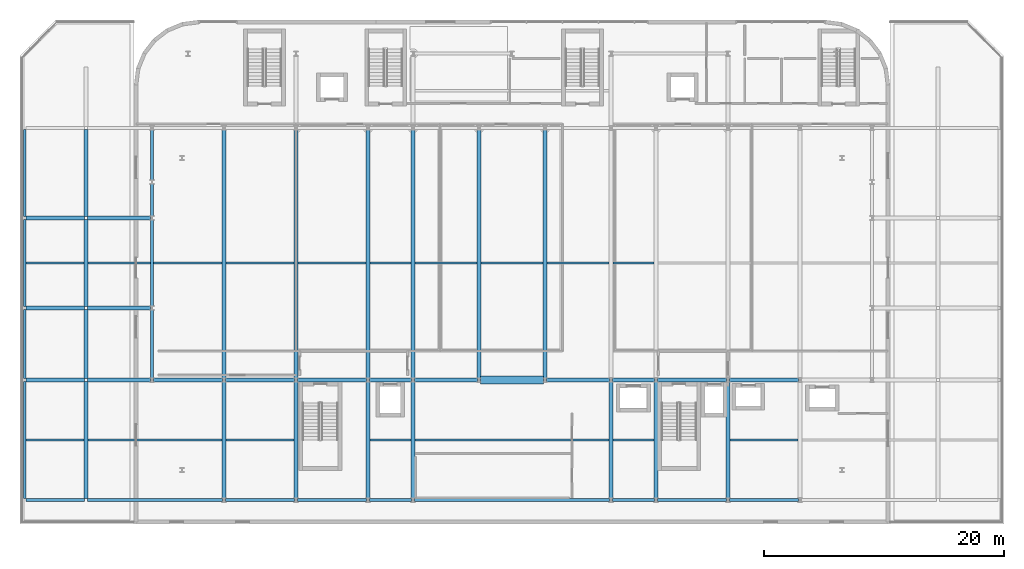
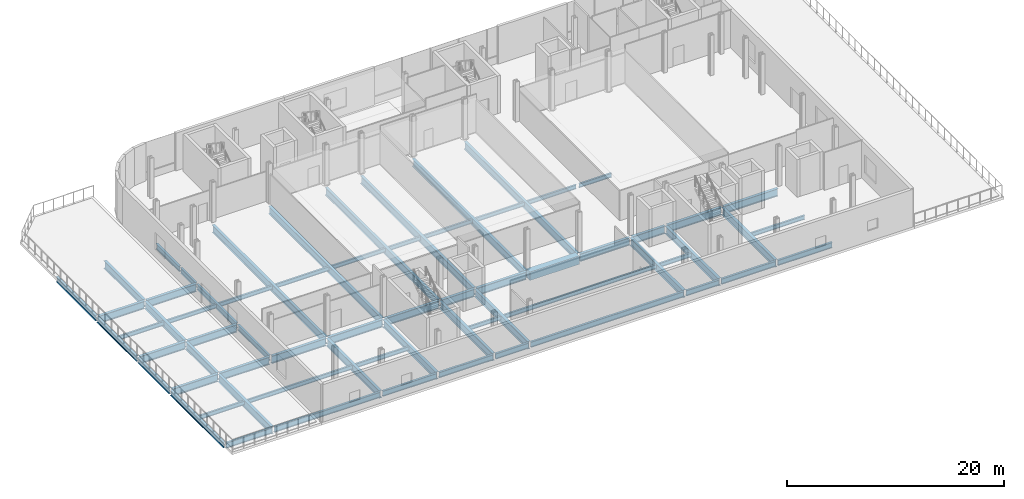
# One storey, part 2 of 26: 67 beams.
"""IFC4 building model written with IfcOpenShell, lengths in metres."""

from ifc_helpers import new_model, si_unit, direction, frame, origin, origin_2d, place, context, subcontext, project, spatial, rectangle, i_section, extrude, material, material_profile, profile_set, type_object, element, save


model = new_model("IFC4")

# Units and contexts
model_context = context("Model", 3, precision=1e-05, world=origin(), true_north=direction((0.0, 1.0)))
body_context = subcontext(model_context, "Body", "Model", "MODEL_VIEW")
ifc_project = project(units=[si_unit("LENGTHUNIT", "METRE"), si_unit("AREAUNIT", "SQUARE_METRE"), si_unit("VOLUMEUNIT", "CUBIC_METRE"), si_unit("PLANEANGLEUNIT", "RADIAN"), si_unit("MASSUNIT", "GRAM", prefix="KILO")], contexts=[model_context])

# Site, building, storey
site_placement = place(None, origin())
site = spatial("IfcSite", under=ifc_project, at=site_placement, CompositionType="ELEMENT")
building_placement = place(site_placement, origin())
building = spatial("IfcBuilding", under=site, at=building_placement, Name="Brevholm Reach", CompositionType="ELEMENT")
storey_placement = place(building_placement, frame((0.0, 0.0, 18.0)))
storey = spatial("IfcBuildingStorey", under=building, at=storey_placement, Name="L04", CompositionType="ELEMENT", Elevation=18.0)

# Beams
ifc_material_1 = material(Name="Structural Steel S355J2", Category="steel")
ifc_material_profile_1 = material_profile(ifc_material_1, i_section(OverallWidth=0.1904296875, OverallDepth=0.45703125, WebThickness=0.009033203125, FlangeThickness=0.014404296875, FilletRadius=0.01025390625, at=origin_2d()), Name="UKB 457x191x74")
ifc_profile_set_1 = profile_set([ifc_material_profile_1], Name="Structural Steel S355J2")
beam_type_1 = type_object("IfcBeamType", Name="BM-B457", PredefinedType="BEAM", material=ifc_profile_set_1)
beam_1_placement = place(storey_placement, frame((-10.485595703125, 5.0, -0.508544921875), z_axis=(1.0, 0.0, 0.0), x_axis=(0.0, 1.0, 0.0)))
element("IfcBeam", 1, at=beam_1_placement, inside=storey, type_object=beam_type_1, Name="L04 Composite Secondary Floor Beam", PredefinedType="BEAM", context=body_context, shape_type="SweptSolid", body=[
    extrude(i_section(OverallWidth=0.1904296875, OverallDepth=0.45703125, WebThickness=0.009033203125, FlangeThickness=0.014404296875, FilletRadius=0.01025390625, at=origin_2d()), origin(), (0.0, 0.0, 1.0), 4.838623046875),
])
beam_2_placement = place(storey_placement, frame((-5.35302734375, 5.0, -0.508544921875), z_axis=(1.0, 0.0, 0.0), x_axis=(0.0, 1.0, 0.0)))
element("IfcBeam", 2, at=beam_2_placement, inside=storey, type_object=beam_type_1, Name="L04 Composite Secondary Floor Beam", PredefinedType="BEAM", context=body_context, shape_type="SweptSolid", body=[
    extrude(i_section(OverallWidth=0.1904296875, OverallDepth=0.45703125, WebThickness=0.009033203125, FlangeThickness=0.014404296875, FilletRadius=0.01025390625, at=origin_2d()), origin(), (0.0, 0.0, 1.0), 11.2060546875),
])
beam_3_placement = place(storey_placement, frame((6.14697265625, 5.0, -0.508544921875), z_axis=(1.0, 0.0, 0.0), x_axis=(0.0, 1.0, 0.0)))
element("IfcBeam", 3, at=beam_3_placement, inside=storey, type_object=beam_type_1, Name="L04 Composite Secondary Floor Beam", PredefinedType="BEAM", context=body_context, shape_type="SweptSolid", body=[
    extrude(i_section(OverallWidth=0.1904296875, OverallDepth=0.45703125, WebThickness=0.009033203125, FlangeThickness=0.014404296875, FilletRadius=0.01025390625, at=origin_2d()), origin(), (0.0, 0.0, 1.0), 5.7060546875),
])
beam_4_placement = place(storey_placement, frame((18.14697265625, 5.0, -0.508544921875), z_axis=(1.0, 0.0, 0.0), x_axis=(0.0, 1.0, 0.0)))
element("IfcBeam", 4, at=beam_4_placement, inside=storey, type_object=beam_type_1, Name="L04 Composite Secondary Floor Beam", PredefinedType="BEAM", context=body_context, shape_type="SweptSolid", body=[
    extrude(i_section(OverallWidth=0.1904296875, OverallDepth=0.45703125, WebThickness=0.009033203125, FlangeThickness=0.014404296875, FilletRadius=0.01025390625, at=origin_2d()), origin(), (0.0, 0.0, 1.0), 3.4560546875),
])
beam_5_placement = place(storey_placement, frame((21.89697265625, 5.0, -0.508544921875), z_axis=(1.0, 0.0, 0.0), x_axis=(0.0, 1.0, 0.0)))
element("IfcBeam", 5, at=beam_5_placement, inside=storey, type_object=beam_type_1, Name="L04 Composite Secondary Floor Beam", PredefinedType="BEAM", context=body_context, shape_type="SweptSolid", body=[
    extrude(i_section(OverallWidth=0.1904296875, OverallDepth=0.45703125, WebThickness=0.009033203125, FlangeThickness=0.014404296875, FilletRadius=0.01025390625, at=origin_2d()), origin(), (0.0, 0.0, 1.0), 16.2060546875),
])
beam_6_placement = place(storey_placement, frame((38.39697265625, 5.0, -0.508544921875), z_axis=(1.0, 0.0, 0.0), x_axis=(0.0, 1.0, 0.0)))
element("IfcBeam", 6, at=beam_6_placement, inside=storey, type_object=beam_type_1, Name="L04 Composite Secondary Floor Beam", PredefinedType="BEAM", context=body_context, shape_type="SweptSolid", body=[
    extrude(i_section(OverallWidth=0.1904296875, OverallDepth=0.45703125, WebThickness=0.009033203125, FlangeThickness=0.014404296875, FilletRadius=0.01025390625, at=origin_2d()), origin(), (0.0, 0.0, 1.0), 3.4560546875),
])
beam_7_placement = place(storey_placement, frame((48.14697265625, 5.0, -0.508544921875), z_axis=(1.0, 0.0, 0.0), x_axis=(0.0, 1.0, 0.0)))
element("IfcBeam", 7, at=beam_7_placement, inside=storey, type_object=beam_type_1, Name="L04 Composite Secondary Floor Beam", PredefinedType="BEAM", context=body_context, shape_type="SweptSolid", body=[
    extrude(i_section(OverallWidth=0.1904296875, OverallDepth=0.45703125, WebThickness=0.009033203125, FlangeThickness=0.014404296875, FilletRadius=0.01025390625, at=origin_2d()), origin(), (0.0, 0.0, 1.0), 5.7060546875),
])
beam_8_placement = place(storey_placement, frame((-10.485595703125, 19.75, -0.508544921875), z_axis=(1.0, 0.0, 0.0), x_axis=(0.0, 1.0, 0.0)))
element("IfcBeam", 8, at=beam_8_placement, inside=storey, type_object=beam_type_1, Name="L04 Composite Secondary Floor Beam", PredefinedType="BEAM", context=body_context, shape_type="SweptSolid", body=[
    extrude(i_section(OverallWidth=0.1904296875, OverallDepth=0.45703125, WebThickness=0.009033203125, FlangeThickness=0.014404296875, FilletRadius=0.01025390625, at=origin_2d()), origin(), (0.0, 0.0, 1.0), 4.838623046875),
])
beam_9_placement = place(storey_placement, frame((-5.35302734375, 19.75, -0.508544921875), z_axis=(1.0, 0.0, 0.0), x_axis=(0.0, 1.0, 0.0)))
element("IfcBeam", 9, at=beam_9_placement, inside=storey, type_object=beam_type_1, Name="L04 Composite Secondary Floor Beam", PredefinedType="BEAM", context=body_context, shape_type="SweptSolid", body=[
    extrude(i_section(OverallWidth=0.1904296875, OverallDepth=0.45703125, WebThickness=0.009033203125, FlangeThickness=0.014404296875, FilletRadius=0.01025390625, at=origin_2d()), origin(), (0.0, 0.0, 1.0), 5.238525390625),
])
beam_10_placement = place(storey_placement, frame((0.114501953125, 19.75, -0.508544921875), z_axis=(1.0, 0.0, 0.0), x_axis=(0.0, 1.0, 0.0)))
element("IfcBeam", 10, at=beam_10_placement, inside=storey, type_object=beam_type_1, Name="L04 Composite Secondary Floor Beam", PredefinedType="BEAM", context=body_context, shape_type="SweptSolid", body=[
    extrude(i_section(OverallWidth=0.1904296875, OverallDepth=0.45703125, WebThickness=0.009033203125, FlangeThickness=0.014404296875, FilletRadius=0.01025390625, at=origin_2d()), origin(), (0.0, 0.0, 1.0), 5.738525390625),
])
for number, where, z_axis, x_axis, name in (
    (11, (6.14697265625, 19.75, -0.508544921875), (1.0, 0.0, 0.0), (0.0, 1.0, 0.0), "L04 Composite Secondary Floor Beam"),
    (12, (12.14697265625, 19.75, -0.508544921875), (1.0, 0.0, 0.0), (0.0, 1.0, 0.0), "L04 Composite Secondary Floor Beam"),
):
    element("IfcBeam", number, at=place(storey_placement, frame(where, z_axis=z_axis, x_axis=x_axis)), inside=storey, type_object=beam_type_1, Name=name, PredefinedType="BEAM", context=body_context, shape_type="SweptSolid", body=[
        extrude(i_section(OverallWidth=0.1904296875, OverallDepth=0.45703125, WebThickness=0.009033203125, FlangeThickness=0.014404296875, FilletRadius=0.01025390625, at=origin_2d()), origin(), (0.0, 0.0, 1.0), 5.7060546875),
    ])
beam_11_placement = place(storey_placement, frame((18.14697265625, 19.75, -0.508544921875), z_axis=(1.0, 0.0, 0.0), x_axis=(0.0, 1.0, 0.0)))
element("IfcBeam", 13, at=beam_11_placement, inside=storey, type_object=beam_type_1, Name="L04 Composite Secondary Floor Beam", PredefinedType="BEAM", context=body_context, shape_type="SweptSolid", body=[
    extrude(i_section(OverallWidth=0.1904296875, OverallDepth=0.45703125, WebThickness=0.009033203125, FlangeThickness=0.014404296875, FilletRadius=0.01025390625, at=origin_2d()), origin(), (0.0, 0.0, 1.0), 3.4560546875),
])
for number, where, z_axis, x_axis, name in (
    (14, (21.89697265625, 19.75, -0.508544921875), (1.0, 0.0, 0.0), (0.0, 1.0, 0.0), "L04 Composite Secondary Floor Beam"),
    (15, (27.39697265625, 19.75, -0.508544921875), (1.0, 0.0, 0.0), (0.0, 1.0, 0.0), "L04 Composite Secondary Floor Beam"),
    (16, (32.89697265625, 19.75, -0.508544921875), (1.0, 0.0, 0.0), (0.0, 1.0, 0.0), "L04 Composite Secondary Floor Beam"),
):
    element("IfcBeam", number, at=place(storey_placement, frame(where, z_axis=z_axis, x_axis=x_axis)), inside=storey, type_object=beam_type_1, Name=name, PredefinedType="BEAM", context=body_context, shape_type="SweptSolid", body=[
        extrude(i_section(OverallWidth=0.1904296875, OverallDepth=0.45703125, WebThickness=0.009033203125, FlangeThickness=0.014404296875, FilletRadius=0.01025390625, at=origin_2d()), origin(), (0.0, 0.0, 1.0), 5.2060546875),
    ])
beam_12_placement = place(storey_placement, frame((38.39697265625, 19.75, -0.508544921875), z_axis=(1.0, 0.0, 0.0), x_axis=(0.0, 1.0, 0.0)))
element("IfcBeam", 17, at=beam_12_placement, inside=storey, type_object=beam_type_1, Name="L04 Composite Secondary Floor Beam", PredefinedType="BEAM", context=body_context, shape_type="SweptSolid", body=[
    extrude(i_section(OverallWidth=0.1904296875, OverallDepth=0.45703125, WebThickness=0.009033203125, FlangeThickness=0.014404296875, FilletRadius=0.01025390625, at=origin_2d()), origin(), (0.0, 0.0, 1.0), 3.4560546875),
])
ifc_material_2 = material(Name="Concrete C60/75", Category="concrete")
ifc_material_profile_2 = material_profile(ifc_material_2, rectangle(XDim=0.64990234375, YDim=0.949951171875, at=origin_2d()), Name="RC 650x950")
ifc_profile_set_2 = profile_set([ifc_material_profile_2], Name="Concrete C60/75")
beam_type_2 = type_object("IfcBeamType", Name="BM-CB650", PredefinedType="LINTEL", material=ifc_profile_set_2)
beam_13_placement = place(storey_placement, frame((27.3701171875, 10.0, -0.7548828125), z_axis=(1.0, 0.0, 0.0), x_axis=(0.0, 1.0, 0.0)))
element("IfcBeam", 18, at=beam_13_placement, inside=storey, type_object=beam_type_2, Name="L04 CB-01 Framing Beam", PredefinedType="LINTEL", context=body_context, shape_type="SweptSolid", body=[
    extrude(rectangle(XDim=0.64990234375, YDim=0.949951171875, at=origin_2d()), origin(), (0.0, 0.0, 1.0), 5.259765625),
])
ifc_material_3 = material(Name="Structural Steel S355J2", Category="steel")
ifc_material_profile_3 = material_profile(ifc_material_3, i_section(OverallWidth=0.22900390625, OverallDepth=0.6123046875, WebThickness=0.011962890625, FlangeThickness=0.01953125, FilletRadius=0.0126953125, at=origin_2d()), Name="UKB 610x229x125")
ifc_profile_set_3 = profile_set([ifc_material_profile_3], Name="Structural Steel S355J2")
beam_type_3 = type_object("IfcBeamType", Name="BM-SP610", PredefinedType="SPANDREL", material=ifc_profile_set_3)
beam_14_placement = place(storey_placement, frame((-10.47998046875, 0.0, -0.586181640625), z_axis=(1.0, 0.0, 0.0), x_axis=(0.0, 1.0, 0.0)))
element("IfcBeam", 19, at=beam_14_placement, inside=storey, type_object=beam_type_3, Name="L04 SP-01 Framing Beam", PredefinedType="SPANDREL", context=body_context, shape_type="SweptSolid", body=[
    extrude(i_section(OverallWidth=0.22900390625, OverallDepth=0.6123046875, WebThickness=0.011962890625, FlangeThickness=0.01953125, FilletRadius=0.0126953125, at=origin_2d()), origin(), (0.0, 0.0, 1.0), 4.85986328125),
])
beam_15_placement = place(storey_placement, frame((-5.3798828125, 0.0, -0.586181640625), z_axis=(1.0, 0.0, 0.0), x_axis=(0.0, 1.0, 0.0)))
element("IfcBeam", 20, at=beam_15_placement, inside=storey, type_object=beam_type_3, Name="L04 SP-01 Framing Beam", PredefinedType="SPANDREL", context=body_context, shape_type="SweptSolid", body=[
    extrude(i_section(OverallWidth=0.22900390625, OverallDepth=0.6123046875, WebThickness=0.011962890625, FlangeThickness=0.01953125, FilletRadius=0.0126953125, at=origin_2d()), origin(), (0.0, 0.0, 1.0), 11.259765625),
])
for number, where, z_axis, x_axis, name in (
    (21, (6.1201171875, 0.0, -0.586181640625), (1.0, 0.0, 0.0), (0.0, 1.0, 0.0), "L04 SP-01 Framing Beam"),
    (22, (12.1201171875, 0.0, -0.586181640625), (1.0, 0.0, 0.0), (0.0, 1.0, 0.0), "L04 SP-01 Framing Beam"),
):
    element("IfcBeam", number, at=place(storey_placement, frame(where, z_axis=z_axis, x_axis=x_axis)), inside=storey, type_object=beam_type_3, Name=name, PredefinedType="SPANDREL", context=body_context, shape_type="SweptSolid", body=[
        extrude(i_section(OverallWidth=0.22900390625, OverallDepth=0.6123046875, WebThickness=0.011962890625, FlangeThickness=0.01953125, FilletRadius=0.0126953125, at=origin_2d()), origin(), (0.0, 0.0, 1.0), 5.759765625),
    ])
beam_16_placement = place(storey_placement, frame((18.1201171875, 0.0, -0.586181640625), z_axis=(1.0, 0.0, 0.0), x_axis=(0.0, 1.0, 0.0)))
element("IfcBeam", 23, at=beam_16_placement, inside=storey, type_object=beam_type_3, Name="L04 SP-01 Framing Beam", PredefinedType="SPANDREL", context=body_context, shape_type="SweptSolid", body=[
    extrude(i_section(OverallWidth=0.22900390625, OverallDepth=0.6123046875, WebThickness=0.011962890625, FlangeThickness=0.01953125, FilletRadius=0.0126953125, at=origin_2d()), origin(), (0.0, 0.0, 1.0), 3.509765625),
])
beam_17_placement = place(storey_placement, frame((21.8701171875, 0.0, -0.586181640625), z_axis=(1.0, 0.0, 0.0), x_axis=(0.0, 1.0, 0.0)))
element("IfcBeam", 24, at=beam_17_placement, inside=storey, type_object=beam_type_3, Name="L04 SP-01 Framing Beam", PredefinedType="SPANDREL", context=body_context, shape_type="SweptSolid", body=[
    extrude(i_section(OverallWidth=0.22900390625, OverallDepth=0.6123046875, WebThickness=0.011962890625, FlangeThickness=0.01953125, FilletRadius=0.0126953125, at=origin_2d()), origin(), (0.0, 0.0, 1.0), 16.259765625),
])
beam_18_placement = place(storey_placement, frame((38.3701171875, 0.0, -0.586181640625), z_axis=(1.0, 0.0, 0.0), x_axis=(0.0, 1.0, 0.0)))
element("IfcBeam", 25, at=beam_18_placement, inside=storey, type_object=beam_type_3, Name="L04 SP-01 Framing Beam", PredefinedType="SPANDREL", context=body_context, shape_type="SweptSolid", body=[
    extrude(i_section(OverallWidth=0.22900390625, OverallDepth=0.6123046875, WebThickness=0.011962890625, FlangeThickness=0.01953125, FilletRadius=0.0126953125, at=origin_2d()), origin(), (0.0, 0.0, 1.0), 3.509765625),
])
for number, where, z_axis, x_axis, name in (
    (26, (42.1201171875, 0.0, -0.586181640625), (1.0, 0.0, 0.0), (0.0, 1.0, 0.0), "L04 SP-01 Framing Beam"),
    (27, (48.1201171875, 0.0, -0.586181640625), (1.0, 0.0, 0.0), (0.0, 1.0, 0.0), "L04 SP-01 Framing Beam"),
):
    element("IfcBeam", number, at=place(storey_placement, frame(where, z_axis=z_axis, x_axis=x_axis)), inside=storey, type_object=beam_type_3, Name=name, PredefinedType="SPANDREL", context=body_context, shape_type="SweptSolid", body=[
        extrude(i_section(OverallWidth=0.22900390625, OverallDepth=0.6123046875, WebThickness=0.011962890625, FlangeThickness=0.01953125, FilletRadius=0.0126953125, at=origin_2d()), origin(), (0.0, 0.0, 1.0), 5.759765625),
    ])
beam_19_placement = place(storey_placement, frame((-10.60009765625, 0.1201171875, -0.586181640625), z_axis=(0.0, 1.0, 0.0), x_axis=(-1.0, 0.0, 0.0)))
element("IfcBeam", 28, at=beam_19_placement, inside=storey, type_object=beam_type_3, Name="L04 SP-01 Framing Beam", PredefinedType="SPANDREL", context=body_context, shape_type="SweptSolid", body=[
    extrude(i_section(OverallWidth=0.22900390625, OverallDepth=0.6123046875, WebThickness=0.011962890625, FlangeThickness=0.01953125, FilletRadius=0.0126953125, at=origin_2d()), origin(), (0.0, 0.0, 1.0), 9.759765625),
])
beam_20_placement = place(storey_placement, frame((-10.60009765625, 10.1201171875, -0.586181640625), z_axis=(0.0, 1.0, 0.0), x_axis=(-1.0, 0.0, 0.0)))
element("IfcBeam", 29, at=beam_20_placement, inside=storey, type_object=beam_type_3, Name="L04 SP-01 Framing Beam", PredefinedType="SPANDREL", context=body_context, shape_type="SweptSolid", body=[
    extrude(i_section(OverallWidth=0.22900390625, OverallDepth=0.6123046875, WebThickness=0.011962890625, FlangeThickness=0.01953125, FilletRadius=0.0126953125, at=origin_2d()), origin(), (0.0, 0.0, 1.0), 5.759765625),
])
for number, where, z_axis, x_axis, name in (
    (30, (-10.60009765625, 16.1201171875, -0.586181640625), (0.0, 1.0, 0.0), (-1.0, 0.0, 0.0), "L04 SP-01 Framing Beam"),
    (31, (-10.60009765625, 23.6201171875, -0.586181640625), (0.0, 1.0, 0.0), (-1.0, 0.0, 0.0), "L04 SP-01 Framing Beam"),
):
    element("IfcBeam", number, at=place(storey_placement, frame(where, z_axis=z_axis, x_axis=x_axis)), inside=storey, type_object=beam_type_3, Name=name, PredefinedType="SPANDREL", context=body_context, shape_type="SweptSolid", body=[
        extrude(i_section(OverallWidth=0.22900390625, OverallDepth=0.6123046875, WebThickness=0.011962890625, FlangeThickness=0.01953125, FilletRadius=0.0126953125, at=origin_2d()), origin(), (0.0, 0.0, 1.0), 7.259765625),
    ])
beam_21_placement = place(storey_placement, frame((0.0, 10.1201171875, -0.586181640625), z_axis=(0.0, 1.0, 0.0), x_axis=(-1.0, 0.0, 0.0)))
element("IfcBeam", 32, at=beam_21_placement, inside=storey, type_object=beam_type_3, Name="L04 SP-01 Framing Beam", PredefinedType="SPANDREL", context=body_context, shape_type="SweptSolid", body=[
    extrude(i_section(OverallWidth=0.22900390625, OverallDepth=0.6123046875, WebThickness=0.011962890625, FlangeThickness=0.01953125, FilletRadius=0.0126953125, at=origin_2d()), origin(), (0.0, 0.0, 1.0), 5.759765625),
])
beam_22_placement = place(storey_placement, frame((0.0, 16.1201171875, -0.586181640625), z_axis=(0.0, 1.0, 0.0), x_axis=(-1.0, 0.0, 0.0)))
element("IfcBeam", 33, at=beam_22_placement, inside=storey, type_object=beam_type_3, Name="L04 SP-01 Framing Beam", PredefinedType="SPANDREL", context=body_context, shape_type="SweptSolid", body=[
    extrude(i_section(OverallWidth=0.22900390625, OverallDepth=0.6123046875, WebThickness=0.011962890625, FlangeThickness=0.01953125, FilletRadius=0.0126953125, at=origin_2d()), origin(), (0.0, 0.0, 1.0), 7.259765625),
])
beam_23_placement = place(storey_placement, frame((0.0, 23.6201171875, -0.586181640625), z_axis=(0.0, 1.0, 0.0), x_axis=(-1.0, 0.0, 0.0)))
element("IfcBeam", 34, at=beam_23_placement, inside=storey, type_object=beam_type_3, Name="L04 SP-01 Framing Beam", PredefinedType="SPANDREL", context=body_context, shape_type="SweptSolid", body=[
    extrude(i_section(OverallWidth=0.22900390625, OverallDepth=0.6123046875, WebThickness=0.011962890625, FlangeThickness=0.01953125, FilletRadius=0.0126953125, at=origin_2d()), origin(), (0.0, 0.0, 1.0), 2.759765625),
])
beam_24_placement = place(storey_placement, frame((0.0, 26.6201171875, -0.586181640625), z_axis=(0.0, 1.0, 0.0), x_axis=(-1.0, 0.0, 0.0)))
element("IfcBeam", 35, at=beam_24_placement, inside=storey, type_object=beam_type_3, Name="L04 SP-01 Framing Beam", PredefinedType="SPANDREL", context=body_context, shape_type="SweptSolid", body=[
    extrude(i_section(OverallWidth=0.22900390625, OverallDepth=0.6123046875, WebThickness=0.011962890625, FlangeThickness=0.01953125, FilletRadius=0.0126953125, at=origin_2d()), origin(), (0.0, 0.0, 1.0), 4.259765625),
])
ifc_material_4 = material(Name="Structural Steel S355J2", Category="steel")
ifc_material_profile_4 = material_profile(ifc_material_4, i_section(OverallWidth=0.293701171875, OverallDepth=0.850830078125, WebThickness=0.01611328125, FlangeThickness=0.02685546875, FilletRadius=0.017822265625, at=origin_2d()), Name="UKB 838x292x226")
ifc_profile_set_4 = profile_set([ifc_material_profile_4], Name="Structural Steel S355J2")
beam_type_4 = type_object("IfcBeamType", Name="BM-UKB838", PredefinedType="USERDEFINED", material=ifc_profile_set_4)
beam_25_placement = place(storey_placement, frame((-10.47998046875, 10.0, -0.70556640625), z_axis=(1.0, 0.0, 0.0), x_axis=(0.0, 1.0, 0.0)))
element("IfcBeam", 36, at=beam_25_placement, inside=storey, type_object=beam_type_4, Name="L04 G-03 Framing Beam", ObjectType="GIRDER", PredefinedType="USERDEFINED", context=body_context, shape_type="SweptSolid", body=[
    extrude(i_section(OverallWidth=0.293701171875, OverallDepth=0.850830078125, WebThickness=0.01611328125, FlangeThickness=0.02685546875, FilletRadius=0.017822265625, at=origin_2d()), origin(), (0.0, 0.0, 1.0), 4.85986328125),
])
beam_26_placement = place(storey_placement, frame((-5.3798828125, 10.0, -0.70556640625), z_axis=(1.0, 0.0, 0.0), x_axis=(0.0, 1.0, 0.0)))
element("IfcBeam", 37, at=beam_26_placement, inside=storey, type_object=beam_type_4, Name="L04 G-03 Framing Beam", ObjectType="GIRDER", PredefinedType="USERDEFINED", context=body_context, shape_type="SweptSolid", body=[
    extrude(i_section(OverallWidth=0.293701171875, OverallDepth=0.850830078125, WebThickness=0.01611328125, FlangeThickness=0.02685546875, FilletRadius=0.017822265625, at=origin_2d()), origin(), (0.0, 0.0, 1.0), 5.259765625),
])
for number, where, z_axis, x_axis, name in (
    (38, (0.1201171875, 10.0, -0.70556640625), (1.0, 0.0, 0.0), (0.0, 1.0, 0.0), "L04 G-03 Framing Beam"),
    (39, (6.1201171875, 10.0, -0.70556640625), (1.0, 0.0, 0.0), (0.0, 1.0, 0.0), "L04 G-03 Framing Beam"),
    (40, (12.1201171875, 10.0, -0.70556640625), (1.0, 0.0, 0.0), (0.0, 1.0, 0.0), "L04 G-03 Framing Beam"),
):
    element("IfcBeam", number, at=place(storey_placement, frame(where, z_axis=z_axis, x_axis=x_axis)), inside=storey, type_object=beam_type_4, Name=name, ObjectType="GIRDER", PredefinedType="USERDEFINED", context=body_context, shape_type="SweptSolid", body=[
        extrude(i_section(OverallWidth=0.293701171875, OverallDepth=0.850830078125, WebThickness=0.01611328125, FlangeThickness=0.02685546875, FilletRadius=0.017822265625, at=origin_2d()), origin(), (0.0, 0.0, 1.0), 5.759765625),
    ])
beam_27_placement = place(storey_placement, frame((18.1201171875, 10.0, -0.70556640625), z_axis=(1.0, 0.0, 0.0), x_axis=(0.0, 1.0, 0.0)))
element("IfcBeam", 41, at=beam_27_placement, inside=storey, type_object=beam_type_4, Name="L04 G-03 Framing Beam", ObjectType="GIRDER", PredefinedType="USERDEFINED", context=body_context, shape_type="SweptSolid", body=[
    extrude(i_section(OverallWidth=0.293701171875, OverallDepth=0.850830078125, WebThickness=0.01611328125, FlangeThickness=0.02685546875, FilletRadius=0.017822265625, at=origin_2d()), origin(), (0.0, 0.0, 1.0), 3.509765625),
])
for number, where, z_axis, x_axis, name in (
    (42, (21.8701171875, 10.0, -0.70556640625), (1.0, 0.0, 0.0), (0.0, 1.0, 0.0), "L04 G-03 Framing Beam"),
    (43, (32.8701171875, 10.0, -0.70556640625), (1.0, 0.0, 0.0), (0.0, 1.0, 0.0), "L04 G-03 Framing Beam"),
):
    element("IfcBeam", number, at=place(storey_placement, frame(where, z_axis=z_axis, x_axis=x_axis)), inside=storey, type_object=beam_type_4, Name=name, ObjectType="GIRDER", PredefinedType="USERDEFINED", context=body_context, shape_type="SweptSolid", body=[
        extrude(i_section(OverallWidth=0.293701171875, OverallDepth=0.850830078125, WebThickness=0.01611328125, FlangeThickness=0.02685546875, FilletRadius=0.017822265625, at=origin_2d()), origin(), (0.0, 0.0, 1.0), 5.259765625),
    ])
beam_28_placement = place(storey_placement, frame((38.3701171875, 10.0, -0.70556640625), z_axis=(1.0, 0.0, 0.0), x_axis=(0.0, 1.0, 0.0)))
element("IfcBeam", 44, at=beam_28_placement, inside=storey, type_object=beam_type_4, Name="L04 G-03 Framing Beam", ObjectType="GIRDER", PredefinedType="USERDEFINED", context=body_context, shape_type="SweptSolid", body=[
    extrude(i_section(OverallWidth=0.293701171875, OverallDepth=0.850830078125, WebThickness=0.01611328125, FlangeThickness=0.02685546875, FilletRadius=0.017822265625, at=origin_2d()), origin(), (0.0, 0.0, 1.0), 3.509765625),
])
for number, where, z_axis, x_axis, name in (
    (45, (42.1201171875, 10.0, -0.70556640625), (1.0, 0.0, 0.0), (0.0, 1.0, 0.0), "L04 G-03 Framing Beam"),
    (46, (48.1201171875, 10.0, -0.70556640625), (1.0, 0.0, 0.0), (0.0, 1.0, 0.0), "L04 G-03 Framing Beam"),
):
    element("IfcBeam", number, at=place(storey_placement, frame(where, z_axis=z_axis, x_axis=x_axis)), inside=storey, type_object=beam_type_4, Name=name, ObjectType="GIRDER", PredefinedType="USERDEFINED", context=body_context, shape_type="SweptSolid", body=[
        extrude(i_section(OverallWidth=0.293701171875, OverallDepth=0.850830078125, WebThickness=0.01611328125, FlangeThickness=0.02685546875, FilletRadius=0.017822265625, at=origin_2d()), origin(), (0.0, 0.0, 1.0), 5.759765625),
    ])
beam_29_placement = place(storey_placement, frame((-10.47998046875, 16.0, -0.70556640625), z_axis=(1.0, 0.0, 0.0), x_axis=(0.0, 1.0, 0.0)))
element("IfcBeam", 47, at=beam_29_placement, inside=storey, type_object=beam_type_4, Name="L04 G-03 Framing Beam", ObjectType="GIRDER", PredefinedType="USERDEFINED", context=body_context, shape_type="SweptSolid", body=[
    extrude(i_section(OverallWidth=0.293701171875, OverallDepth=0.850830078125, WebThickness=0.01611328125, FlangeThickness=0.02685546875, FilletRadius=0.017822265625, at=origin_2d()), origin(), (0.0, 0.0, 1.0), 4.85986328125),
])
beam_30_placement = place(storey_placement, frame((-5.3798828125, 16.0, -0.70556640625), z_axis=(1.0, 0.0, 0.0), x_axis=(0.0, 1.0, 0.0)))
element("IfcBeam", 48, at=beam_30_placement, inside=storey, type_object=beam_type_4, Name="L04 G-03 Framing Beam", ObjectType="GIRDER", PredefinedType="USERDEFINED", context=body_context, shape_type="SweptSolid", body=[
    extrude(i_section(OverallWidth=0.293701171875, OverallDepth=0.850830078125, WebThickness=0.01611328125, FlangeThickness=0.02685546875, FilletRadius=0.017822265625, at=origin_2d()), origin(), (0.0, 0.0, 1.0), 5.259765625),
])
beam_31_placement = place(storey_placement, frame((-10.47998046875, 23.5, -0.70556640625), z_axis=(1.0, 0.0, 0.0), x_axis=(0.0, 1.0, 0.0)))
element("IfcBeam", 49, at=beam_31_placement, inside=storey, type_object=beam_type_4, Name="L04 G-03 Framing Beam", ObjectType="GIRDER", PredefinedType="USERDEFINED", context=body_context, shape_type="SweptSolid", body=[
    extrude(i_section(OverallWidth=0.293701171875, OverallDepth=0.850830078125, WebThickness=0.01611328125, FlangeThickness=0.02685546875, FilletRadius=0.017822265625, at=origin_2d()), origin(), (0.0, 0.0, 1.0), 4.85986328125),
])
beam_32_placement = place(storey_placement, frame((-5.3798828125, 23.5, -0.70556640625), z_axis=(1.0, 0.0, 0.0), x_axis=(0.0, 1.0, 0.0)))
element("IfcBeam", 50, at=beam_32_placement, inside=storey, type_object=beam_type_4, Name="L04 G-03 Framing Beam", ObjectType="GIRDER", PredefinedType="USERDEFINED", context=body_context, shape_type="SweptSolid", body=[
    extrude(i_section(OverallWidth=0.293701171875, OverallDepth=0.850830078125, WebThickness=0.01611328125, FlangeThickness=0.02685546875, FilletRadius=0.017822265625, at=origin_2d()), origin(), (0.0, 0.0, 1.0), 5.259765625),
])
beam_33_placement = place(storey_placement, frame((-5.5, 0.1201171875, -0.70556640625), z_axis=(0.0, 1.0, 0.0), x_axis=(-1.0, 0.0, 0.0)))
element("IfcBeam", 51, at=beam_33_placement, inside=storey, type_object=beam_type_4, Name="L04 G-03 Framing Beam", ObjectType="GIRDER", PredefinedType="USERDEFINED", context=body_context, shape_type="SweptSolid", body=[
    extrude(i_section(OverallWidth=0.293701171875, OverallDepth=0.850830078125, WebThickness=0.01611328125, FlangeThickness=0.02685546875, FilletRadius=0.017822265625, at=origin_2d()), origin(), (0.0, 0.0, 1.0), 9.759765625),
])
beam_34_placement = place(storey_placement, frame((-5.5, 10.1201171875, -0.70556640625), z_axis=(0.0, 1.0, 0.0), x_axis=(-1.0, 0.0, 0.0)))
element("IfcBeam", 52, at=beam_34_placement, inside=storey, type_object=beam_type_4, Name="L04 G-03 Framing Beam", ObjectType="GIRDER", PredefinedType="USERDEFINED", context=body_context, shape_type="SweptSolid", body=[
    extrude(i_section(OverallWidth=0.293701171875, OverallDepth=0.850830078125, WebThickness=0.01611328125, FlangeThickness=0.02685546875, FilletRadius=0.017822265625, at=origin_2d()), origin(), (0.0, 0.0, 1.0), 5.759765625),
])
for number, where, z_axis, x_axis, name in (
    (53, (-5.5, 16.1201171875, -0.70556640625), (0.0, 1.0, 0.0), (-1.0, 0.0, 0.0), "L04 G-03 Framing Beam"),
    (54, (-5.5, 23.6201171875, -0.70556640625), (0.0, 1.0, 0.0), (-1.0, 0.0, 0.0), "L04 G-03 Framing Beam"),
):
    element("IfcBeam", number, at=place(storey_placement, frame(where, z_axis=z_axis, x_axis=x_axis)), inside=storey, type_object=beam_type_4, Name=name, ObjectType="GIRDER", PredefinedType="USERDEFINED", context=body_context, shape_type="SweptSolid", body=[
        extrude(i_section(OverallWidth=0.293701171875, OverallDepth=0.850830078125, WebThickness=0.01611328125, FlangeThickness=0.02685546875, FilletRadius=0.017822265625, at=origin_2d()), origin(), (0.0, 0.0, 1.0), 7.259765625),
    ])
beam_35_placement = place(storey_placement, frame((6.0, 0.1201171875, -0.70556640625), z_axis=(0.0, 1.0, 0.0), x_axis=(-1.0, 0.0, 0.0)))
element("IfcBeam", 55, at=beam_35_placement, inside=storey, type_object=beam_type_4, Name="L04 G-03 Framing Beam", ObjectType="GIRDER", PredefinedType="USERDEFINED", context=body_context, shape_type="SweptSolid", body=[
    extrude(i_section(OverallWidth=0.293701171875, OverallDepth=0.850830078125, WebThickness=0.01611328125, FlangeThickness=0.02685546875, FilletRadius=0.017822265625, at=origin_2d()), origin(), (0.0, 0.0, 1.0), 9.759765625),
])
beam_36_placement = place(storey_placement, frame((6.0, 10.1201171875, -0.70556640625), z_axis=(0.0, 1.0, 0.0), x_axis=(-1.0, 0.0, 0.0)))
element("IfcBeam", 56, at=beam_36_placement, inside=storey, type_object=beam_type_4, Name="L04 G-03 Framing Beam", ObjectType="GIRDER", PredefinedType="USERDEFINED", context=body_context, shape_type="SweptSolid", body=[
    extrude(i_section(OverallWidth=0.293701171875, OverallDepth=0.850830078125, WebThickness=0.01611328125, FlangeThickness=0.02685546875, FilletRadius=0.017822265625, at=origin_2d()), origin(), (0.0, 0.0, 1.0), 20.759765625),
])
beam_37_placement = place(storey_placement, frame((12.0, 0.1201171875, -0.70556640625), z_axis=(0.0, 1.0, 0.0), x_axis=(-1.0, 0.0, 0.0)))
element("IfcBeam", 57, at=beam_37_placement, inside=storey, type_object=beam_type_4, Name="L04 G-03 Framing Beam", ObjectType="GIRDER", PredefinedType="USERDEFINED", context=body_context, shape_type="SweptSolid", body=[
    extrude(i_section(OverallWidth=0.293701171875, OverallDepth=0.850830078125, WebThickness=0.01611328125, FlangeThickness=0.02685546875, FilletRadius=0.017822265625, at=origin_2d()), origin(), (0.0, 0.0, 1.0), 9.759765625),
])
beam_38_placement = place(storey_placement, frame((12.0, 10.1201171875, -0.70556640625), z_axis=(0.0, 1.0, 0.0), x_axis=(-1.0, 0.0, 0.0)))
element("IfcBeam", 58, at=beam_38_placement, inside=storey, type_object=beam_type_4, Name="L04 G-03 Framing Beam", ObjectType="GIRDER", PredefinedType="USERDEFINED", context=body_context, shape_type="SweptSolid", body=[
    extrude(i_section(OverallWidth=0.293701171875, OverallDepth=0.850830078125, WebThickness=0.01611328125, FlangeThickness=0.02685546875, FilletRadius=0.017822265625, at=origin_2d()), origin(), (0.0, 0.0, 1.0), 20.759765625),
])
beam_39_placement = place(storey_placement, frame((18.0, 0.1201171875, -0.70556640625), z_axis=(0.0, 1.0, 0.0), x_axis=(-1.0, 0.0, 0.0)))
element("IfcBeam", 59, at=beam_39_placement, inside=storey, type_object=beam_type_4, Name="L04 G-03 Framing Beam", ObjectType="GIRDER", PredefinedType="USERDEFINED", context=body_context, shape_type="SweptSolid", body=[
    extrude(i_section(OverallWidth=0.293701171875, OverallDepth=0.850830078125, WebThickness=0.01611328125, FlangeThickness=0.02685546875, FilletRadius=0.017822265625, at=origin_2d()), origin(), (0.0, 0.0, 1.0), 9.759765625),
])
beam_40_placement = place(storey_placement, frame((18.0, 10.1201171875, -0.70556640625), z_axis=(0.0, 1.0, 0.0), x_axis=(-1.0, 0.0, 0.0)))
element("IfcBeam", 60, at=beam_40_placement, inside=storey, type_object=beam_type_4, Name="L04 G-03 Framing Beam", ObjectType="GIRDER", PredefinedType="USERDEFINED", context=body_context, shape_type="SweptSolid", body=[
    extrude(i_section(OverallWidth=0.293701171875, OverallDepth=0.850830078125, WebThickness=0.01611328125, FlangeThickness=0.02685546875, FilletRadius=0.017822265625, at=origin_2d()), origin(), (0.0, 0.0, 1.0), 20.759765625),
])
beam_41_placement = place(storey_placement, frame((21.75, 0.1201171875, -0.70556640625), z_axis=(0.0, 1.0, 0.0), x_axis=(-1.0, 0.0, 0.0)))
element("IfcBeam", 61, at=beam_41_placement, inside=storey, type_object=beam_type_4, Name="L04 G-03 Framing Beam", ObjectType="GIRDER", PredefinedType="USERDEFINED", context=body_context, shape_type="SweptSolid", body=[
    extrude(i_section(OverallWidth=0.293701171875, OverallDepth=0.850830078125, WebThickness=0.01611328125, FlangeThickness=0.02685546875, FilletRadius=0.017822265625, at=origin_2d()), origin(), (0.0, 0.0, 1.0), 9.759765625),
])
for number, where, z_axis, x_axis, name in (
    (62, (21.75, 10.1201171875, -0.70556640625), (0.0, 1.0, 0.0), (-1.0, 0.0, 0.0), "L04 G-03 Framing Beam"),
    (63, (27.25, 10.1201171875, -0.70556640625), (0.0, 1.0, 0.0), (-1.0, 0.0, 0.0), "L04 G-03 Framing Beam"),
    (64, (32.75, 10.1201171875, -0.70556640625), (0.0, 1.0, 0.0), (-1.0, 0.0, 0.0), "L04 G-03 Framing Beam"),
):
    element("IfcBeam", number, at=place(storey_placement, frame(where, z_axis=z_axis, x_axis=x_axis)), inside=storey, type_object=beam_type_4, Name=name, ObjectType="GIRDER", PredefinedType="USERDEFINED", context=body_context, shape_type="SweptSolid", body=[
        extrude(i_section(OverallWidth=0.293701171875, OverallDepth=0.850830078125, WebThickness=0.01611328125, FlangeThickness=0.02685546875, FilletRadius=0.017822265625, at=origin_2d()), origin(), (0.0, 0.0, 1.0), 20.759765625),
    ])
for number, where, z_axis, x_axis, name in (
    (65, (38.25, 0.1201171875, -0.70556640625), (0.0, 1.0, 0.0), (-1.0, 0.0, 0.0), "L04 G-03 Framing Beam"),
    (66, (42.0, 0.1201171875, -0.70556640625), (0.0, 1.0, 0.0), (-1.0, 0.0, 0.0), "L04 G-03 Framing Beam"),
    (67, (48.0, 0.1201171875, -0.70556640625), (0.0, 1.0, 0.0), (-1.0, 0.0, 0.0), "L04 G-03 Framing Beam"),
):
    element("IfcBeam", number, at=place(storey_placement, frame(where, z_axis=z_axis, x_axis=x_axis)), inside=storey, type_object=beam_type_4, Name=name, ObjectType="GIRDER", PredefinedType="USERDEFINED", context=body_context, shape_type="SweptSolid", body=[
        extrude(i_section(OverallWidth=0.293701171875, OverallDepth=0.850830078125, WebThickness=0.01611328125, FlangeThickness=0.02685546875, FilletRadius=0.017822265625, at=origin_2d()), origin(), (0.0, 0.0, 1.0), 9.759765625),
    ])

save(model, "model.ifc")
